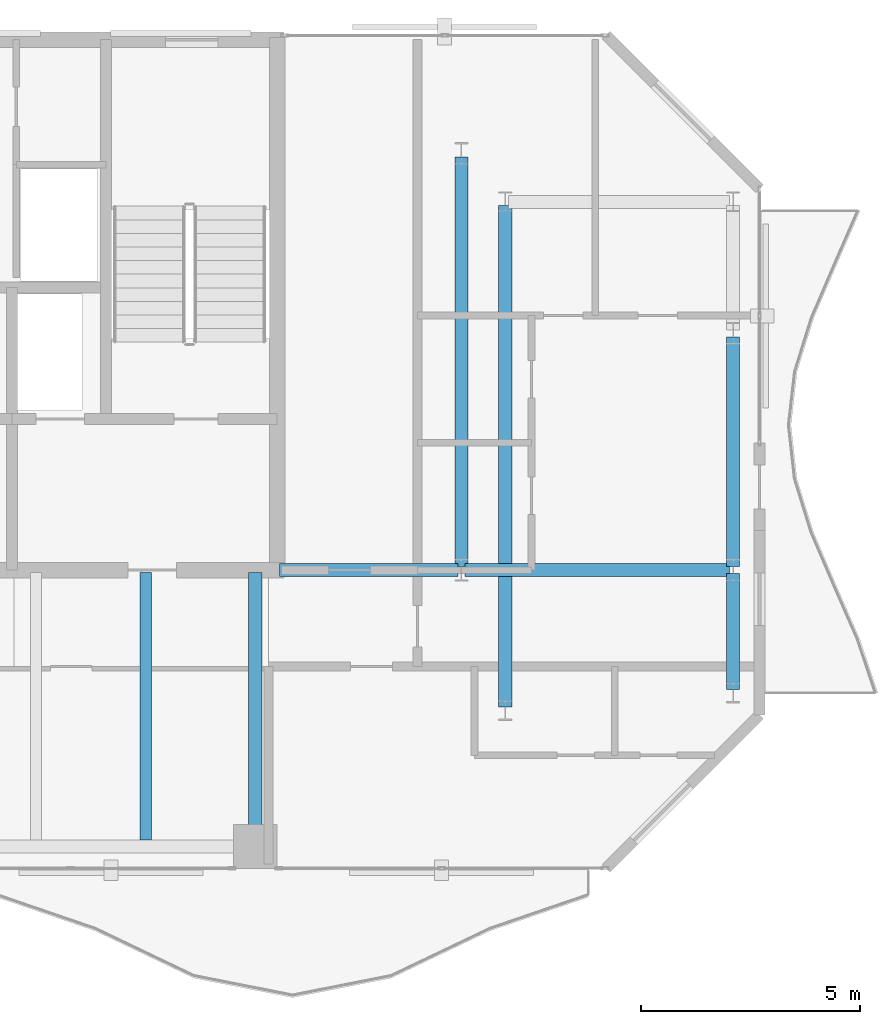
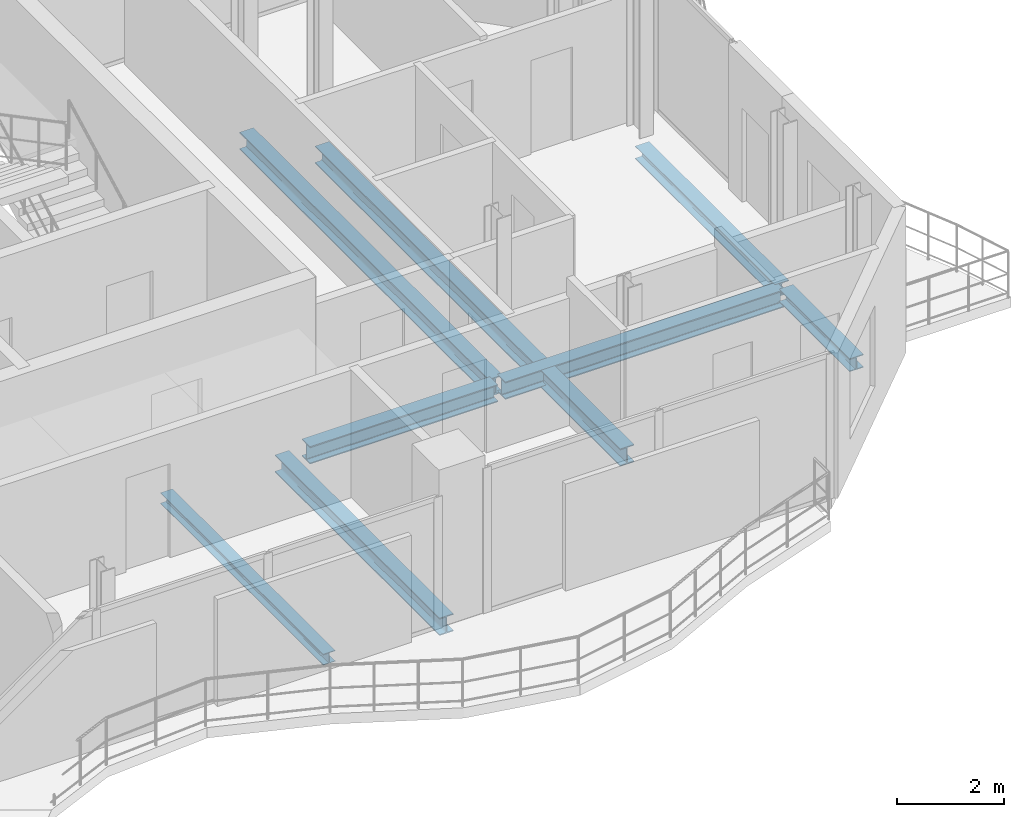
# One storey, part 13 of 23: 8 beams.
"""IFC4 building model written with IfcOpenShell, lengths in metres."""

from ifc_helpers import new_model, si_unit, direction, frame, origin, origin_2d, place, context, subcontext, project, spatial, i_section, extrude, material, material_profile, profile_set, type_object, element, save


model = new_model("IFC4")

# Units and contexts
model_context = context("Model", 3, precision=1e-05, world=origin(), true_north=direction((0.0, 1.0)))
body_context = subcontext(model_context, "Body", "Model", "MODEL_VIEW")
ifc_project = project(units=[si_unit("LENGTHUNIT", "METRE"), si_unit("AREAUNIT", "SQUARE_METRE"), si_unit("VOLUMEUNIT", "CUBIC_METRE"), si_unit("PLANEANGLEUNIT", "RADIAN"), si_unit("MASSUNIT", "GRAM", prefix="KILO")], contexts=[model_context])

# Site, building, storey
site_placement = place(None, origin())
site = spatial("IfcSite", under=ifc_project, at=site_placement, CompositionType="ELEMENT")
building_placement = place(site_placement, origin())
building = spatial("IfcBuilding", under=site, at=building_placement, Name="Catumbela Crestline Tower", CompositionType="ELEMENT")
storey_placement = place(building_placement, frame((0.0, 0.0, 197.4)))
storey = spatial("IfcBuildingStorey", under=building, at=storey_placement, Name="L51", CompositionType="ELEMENT", Elevation=197.4)

# Beams
ifc_material = material(Name="Structural steel S355J2", Category="steel")
ifc_material_profile_1 = material_profile(ifc_material, i_section(OverallWidth=0.3, OverallDepth=0.4, WebThickness=0.0135, FlangeThickness=0.024, FilletRadius=0.027, at=origin_2d()), Name="HEB 400")
ifc_profile_set_1 = profile_set([ifc_material_profile_1], Name="Structural steel S355J2")
beam_type_1 = type_object("IfcBeamType", Name="BG-HEB400", PredefinedType="BEAM", material=ifc_profile_set_1)
beam_1_placement = place(storey_placement, frame((40.05, 30.8, -0.46), z_axis=(1.0, 0.0, 0.0), x_axis=(0.0, 1.0, 0.0)))
element("IfcBeam", 1, at=beam_1_placement, inside=storey, type_object=beam_type_1, Name="L51 Beam BM-L51-M08", PredefinedType="BEAM", context=body_context, shape_type="SweptSolid", body=[
    extrude(i_section(OverallWidth=0.3, OverallDepth=0.4, WebThickness=0.0135, FlangeThickness=0.024, FilletRadius=0.027, at=origin_2d()), origin(), (0.0, 0.0, 1.0), 4.07),
])
beam_2_placement = place(storey_placement, frame((44.28, 30.8, -0.46), z_axis=(1.0, 0.0, 0.0), x_axis=(0.0, 1.0, 0.0)))
element("IfcBeam", 2, at=beam_2_placement, inside=storey, type_object=beam_type_1, Name="L51 Beam BM-L51-M09", PredefinedType="BEAM", context=body_context, shape_type="SweptSolid", body=[
    extrude(i_section(OverallWidth=0.3, OverallDepth=0.4, WebThickness=0.0135, FlangeThickness=0.024, FilletRadius=0.027, at=origin_2d()), origin(), (0.0, 0.0, 1.0), 6.04),
])
beam_3_placement = place(storey_placement, frame((39.5, 24.58, -0.46), z_axis=(0.0, 1.0, 0.0), x_axis=(-1.0, 0.0, 0.0)))
element("IfcBeam", 3, at=beam_3_placement, inside=storey, type_object=beam_type_1, Name="L51 Beam BM-L51-SNS20", PredefinedType="BEAM", context=body_context, shape_type="SweptSolid", body=[
    extrude(i_section(OverallWidth=0.3, OverallDepth=0.4, WebThickness=0.0135, FlangeThickness=0.024, FilletRadius=0.027, at=origin_2d()), origin(), (0.0, 0.0, 1.0), 6.17),
])
beam_4_placement = place(storey_placement, frame((44.2, 30.88, -0.46), z_axis=(0.0, 1.0, 0.0), x_axis=(-1.0, 0.0, 0.0)))
element("IfcBeam", 4, at=beam_4_placement, inside=storey, type_object=beam_type_1, Name="L51 Beam BM-L51-SN21", PredefinedType="BEAM", context=body_context, shape_type="SweptSolid", body=[
    extrude(i_section(OverallWidth=0.3, OverallDepth=0.4, WebThickness=0.0135, FlangeThickness=0.024, FilletRadius=0.027, at=origin_2d()), origin(), (0.0, 0.0, 1.0), 9.34),
])
beam_5_placement = place(storey_placement, frame((45.2, 27.68, -0.46), z_axis=(0.0, 1.0, 0.0), x_axis=(-1.0, 0.0, 0.0)))
element("IfcBeam", 5, at=beam_5_placement, inside=storey, type_object=beam_type_1, Name="L51 Beam BM-L51-SN22", PredefinedType="BEAM", context=body_context, shape_type="SweptSolid", body=[
    extrude(i_section(OverallWidth=0.3, OverallDepth=0.4, WebThickness=0.0135, FlangeThickness=0.024, FilletRadius=0.027, at=origin_2d()), origin(), (0.0, 0.0, 1.0), 11.44),
])
ifc_material_profile_2 = material_profile(ifc_material, i_section(OverallWidth=0.26, OverallDepth=0.25, WebThickness=0.0075, FlangeThickness=0.0125, FilletRadius=0.024, at=origin_2d()), Name="HEA 260")
ifc_profile_set_2 = profile_set([ifc_material_profile_2], Name="Structural steel S355J2")
beam_type_2 = type_object("IfcBeamType", Name="BJ-HEA260", PredefinedType="JOIST", material=ifc_profile_set_2)
beam_6_placement = place(storey_placement, frame((37.0, 24.647, -0.385), z_axis=(0.0, 1.0, 0.0), x_axis=(-1.0, 0.0, 0.0)))
element("IfcBeam", 6, at=beam_6_placement, inside=storey, type_object=beam_type_2, Name="L51 Joist JS-L51-SP31", PredefinedType="JOIST", context=body_context, shape_type="SweptSolid", body=[
    extrude(i_section(OverallWidth=0.26, OverallDepth=0.25, WebThickness=0.0075, FlangeThickness=0.0125, FilletRadius=0.024, at=origin_2d()), origin(), (0.0, 0.0, 1.0), 6.103),
])
ifc_material_profile_3 = material_profile(ifc_material, i_section(OverallWidth=0.3, OverallDepth=0.3, WebThickness=0.011, FlangeThickness=0.019, FilletRadius=0.027, at=origin_2d()), Name="HEB 300")
ifc_profile_set_3 = profile_set([ifc_material_profile_3], Name="Structural steel S355J2")
beam_type_3 = type_object("IfcBeamType", Name="BS-HEB300", PredefinedType="SPANDREL", material=ifc_profile_set_3)
beam_7_placement = place(storey_placement, frame((50.4, 28.08, -0.41), z_axis=(0.0, 1.0, 0.0), x_axis=(-1.0, 0.0, 0.0)))
element("IfcBeam", 7, at=beam_7_placement, inside=storey, type_object=beam_type_3, Name="L51 Spandrel SP-L51-SN23", PredefinedType="SPANDREL", context=body_context, shape_type="SweptSolid", body=[
    extrude(i_section(OverallWidth=0.3, OverallDepth=0.3, WebThickness=0.011, FlangeThickness=0.019, FilletRadius=0.027, at=origin_2d()), origin(), (0.0, 0.0, 1.0), 2.64),
])
beam_8_placement = place(storey_placement, frame((50.4, 30.88, -0.41), z_axis=(0.0, 1.0, 0.0), x_axis=(-1.0, 0.0, 0.0)))
element("IfcBeam", 8, at=beam_8_placement, inside=storey, type_object=beam_type_3, Name="L51 Spandrel SP-L51-SN24", PredefinedType="SPANDREL", context=body_context, shape_type="SweptSolid", body=[
    extrude(i_section(OverallWidth=0.3, OverallDepth=0.3, WebThickness=0.011, FlangeThickness=0.019, FilletRadius=0.027, at=origin_2d()), origin(), (0.0, 0.0, 1.0), 5.24),
])

save(model, "model.ifc")
